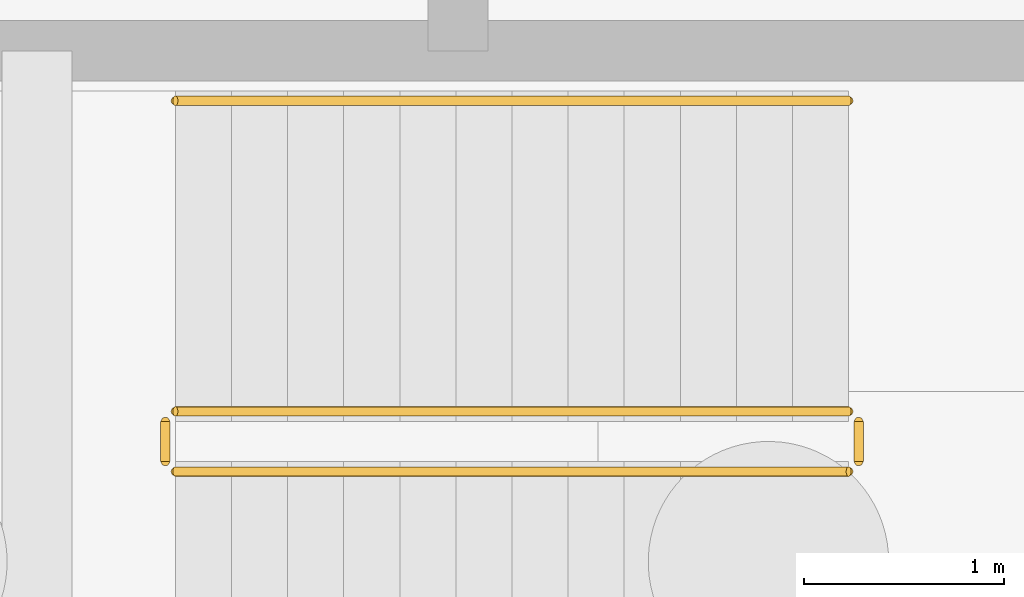
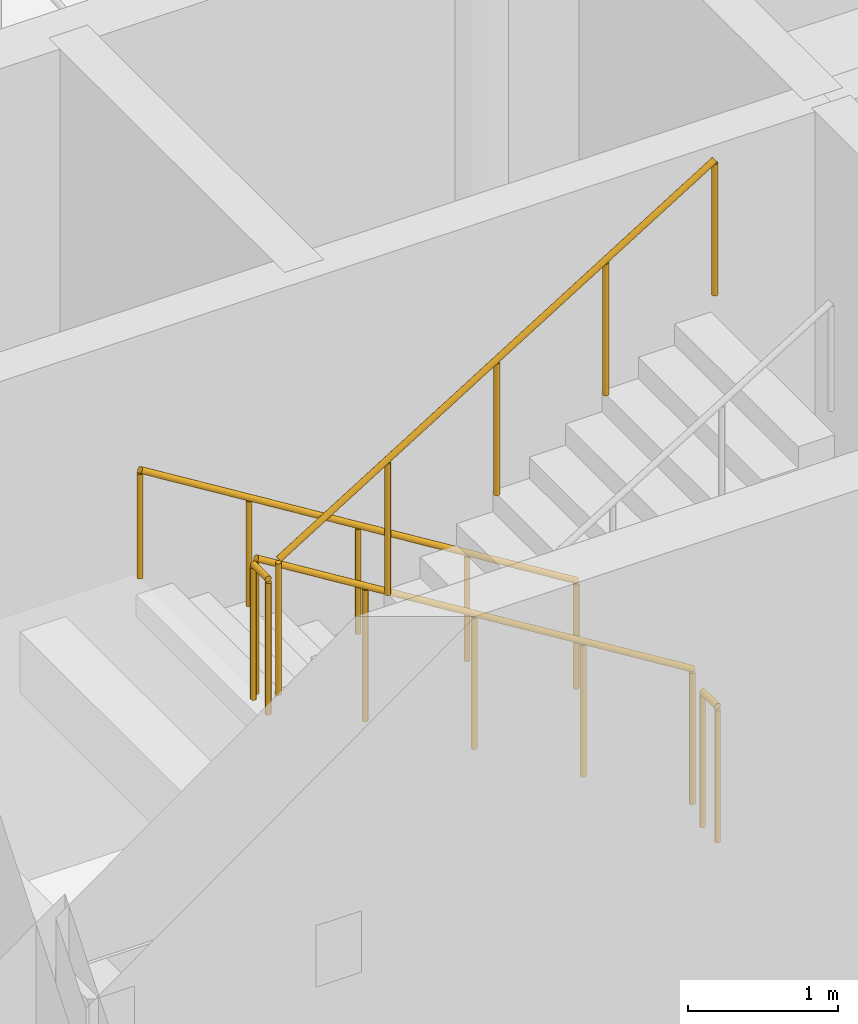
# One storey, part 35 of 42: 5 railings.
"""IFC4 building model written with IfcOpenShell, lengths in metres."""

from ifc_helpers import new_model, si_unit, direction, frame, origin, origin_2d, place, context, subcontext, project, spatial, circle, extrude, material, type_object, element, save


model = new_model("IFC4")

# Units and contexts
model_context = context("Model", 3, precision=1e-05, world=origin(), true_north=direction((0.0, 1.0)))
body_context = subcontext(model_context, "Body", "Model", "MODEL_VIEW")
ifc_project = project(units=[si_unit("LENGTHUNIT", "METRE"), si_unit("AREAUNIT", "SQUARE_METRE"), si_unit("VOLUMEUNIT", "CUBIC_METRE"), si_unit("PLANEANGLEUNIT", "RADIAN"), si_unit("MASSUNIT", "GRAM", prefix="KILO")], contexts=[model_context])

# Site, building, storey
site_placement = place(None, origin())
site = spatial("IfcSite", under=ifc_project, at=site_placement, CompositionType="ELEMENT")
building_placement = place(site_placement, origin())
building = spatial("IfcBuilding", under=site, at=building_placement, Name="Dalvernix Boulevard General Hospital", CompositionType="ELEMENT")
storey_placement = place(building_placement, frame((0.0, 0.0, -4.5)))
storey = spatial("IfcBuildingStorey", under=building, at=storey_placement, Name="B1", CompositionType="ELEMENT", Elevation=-4.5)

# Railings
ifc_material_1 = material(Name="Brushed stainless steel balustrade", Category="steel")
railing_type_1 = type_object("IfcRailingType", Name="RL-GR-INT1", PredefinedType="BALUSTRADE", material=ifc_material_1)
railing_1_placement = place(storey_placement, frame((6.35009765625, 56.300048828125, 0.173095703125)))
element("IfcRailing", 1, at=railing_1_placement, inside=storey, type_object=railing_type_1, Name="B1 ST-02 stair guard 1", PredefinedType="BALUSTRADE", context=body_context, shape_type="SweptSolid", body=[
    extrude(circle(Radius=0.02392578125, at=origin_2d()), frame((0.0, 0.0, 1.09619140625), z_axis=(-0.850623216509, 0.0, 0.525775754039), x_axis=(0.0, -1.0, 0.0)), (0.0, 0.0, 1.0), 3.9501953125),
    extrude(circle(Radius=0.02099609375, at=origin_2d()), origin(), (0.0, 0.0, 1.0), 1.072021484375),
    extrude(circle(Radius=0.02099609375, at=origin_2d()), frame((-0.840087890625, 0.0, 0.519287109375)), (0.0, 0.0, 1.0), 1.072021484375),
    extrude(circle(Radius=0.02099609375, at=origin_2d()), frame((-1.68017578125, 0.0, 1.03857421875)), (0.0, 0.0, 1.0), 1.072021484375),
    extrude(circle(Radius=0.02099609375, at=origin_2d()), frame((-2.52001953125, 0.0, 1.5576171875)), (0.0, 0.0, 1.0), 1.072021484375),
    extrude(circle(Radius=0.02099609375, at=origin_2d()), frame((-3.360107421875, 0.0, 2.076904296875)), (0.0, 0.0, 1.0), 1.072021484375),
])
railing_2_placement = place(storey_placement, frame((2.93994140625, 56.25, 2.25)))
element("IfcRailing", 2, at=railing_2_placement, inside=storey, type_object=railing_type_1, Name="B1 ST-02 stair guard 2", PredefinedType="BALUSTRADE", context=body_context, shape_type="SweptSolid", body=[
    extrude(circle(Radius=0.02392578125, at=origin_2d()), frame((0.0, 0.0, 1.09619140625), z_axis=(0.0, -1.0, 0.0), x_axis=(1.0, 0.0, 0.0)), (0.0, 0.0, 1.0), 0.199951171875),
    extrude(circle(Radius=0.02099609375, at=origin_2d()), origin(), (0.0, 0.0, 1.0), 1.072021484375),
    extrude(circle(Radius=0.02099609375, at=origin_2d()), frame((0.0, -0.199951171875, 0.0)), (0.0, 0.0, 1.0), 1.072021484375),
])
railing_3_placement = place(storey_placement, frame((2.989990234375, 56.0, 2.423095703125)))
element("IfcRailing", 3, at=railing_3_placement, inside=storey, type_object=railing_type_1, Name="B1 ST-02 stair guard 3", PredefinedType="BALUSTRADE", context=body_context, shape_type="SweptSolid", body=[
    extrude(circle(Radius=0.02392578125, at=origin_2d()), frame((0.0, 0.0, 1.09619140625), z_axis=(0.850623216509, 0.0, 0.525775754039), x_axis=(0.0, 1.0, 0.0)), (0.0, 0.0, 1.0), 3.9501953125),
    extrude(circle(Radius=0.02099609375, at=origin_2d()), origin(), (0.0, 0.0, 1.0), 1.072021484375),
    extrude(circle(Radius=0.02099609375, at=origin_2d()), frame((0.840087890625, 0.0, 0.519287109375)), (0.0, 0.0, 1.0), 1.072021484375),
    extrude(circle(Radius=0.02099609375, at=origin_2d()), frame((1.68017578125, 0.0, 1.03857421875)), (0.0, 0.0, 1.0), 1.072021484375),
    extrude(circle(Radius=0.02099609375, at=origin_2d()), frame((2.52001953125, 0.0, 1.5576171875)), (0.0, 0.0, 1.0), 1.072021484375),
    extrude(circle(Radius=0.02099609375, at=origin_2d()), frame((3.360107421875, 0.0, 2.076904296875)), (0.0, 0.0, 1.0), 1.072021484375),
])
railing_4_placement = place(storey_placement, frame((6.39990234375, 56.25, 0.0)))
element("IfcRailing", 4, at=railing_4_placement, inside=storey, type_object=railing_type_1, Name="B1 ST-02 stair guard 4", PredefinedType="BALUSTRADE", context=body_context, shape_type="SweptSolid", body=[
    extrude(circle(Radius=0.02392578125, at=origin_2d()), frame((0.0, 0.0, 1.09619140625), z_axis=(0.0, -1.0, 0.0), x_axis=(1.0, 0.0, 0.0)), (0.0, 0.0, 1.0), 0.199951171875),
    extrude(circle(Radius=0.02099609375, at=origin_2d()), origin(), (0.0, 0.0, 1.0), 1.072021484375),
    extrude(circle(Radius=0.02099609375, at=origin_2d()), frame((0.0, -0.199951171875, 0.0)), (0.0, 0.0, 1.0), 1.072021484375),
])
ifc_material_2 = material(Name="Brushed stainless steel wall handrail", Category="steel")
railing_type_2 = type_object("IfcRailingType", Name="RL-HR-INT1", PredefinedType="HANDRAIL", material=ifc_material_2)
railing_5_placement = place(storey_placement, frame((6.35009765625, 57.85009765625, 0.173095703125)))
element("IfcRailing", 5, at=railing_5_placement, inside=storey, type_object=railing_type_2, Name="B1 ST-02 stair handrail 1", PredefinedType="HANDRAIL", context=body_context, shape_type="SweptSolid", body=[
    extrude(circle(Radius=0.02392578125, at=origin_2d()), frame((0.0, 0.0, 0.8759765625), z_axis=(-0.850623216509, 0.0, 0.525775754039), x_axis=(0.0, -1.0, 0.0)), (0.0, 0.0, 1.0), 3.9501953125),
    extrude(circle(Radius=0.02099609375, at=origin_2d()), origin(), (0.0, 0.0, 1.0), 0.851806640625),
    extrude(circle(Radius=0.02099609375, at=origin_2d()), frame((-0.840087890625, 0.0, 0.519287109375)), (0.0, 0.0, 1.0), 0.851806640625),
    extrude(circle(Radius=0.02099609375, at=origin_2d()), frame((-1.68017578125, 0.0, 1.03857421875)), (0.0, 0.0, 1.0), 0.851806640625),
    extrude(circle(Radius=0.02099609375, at=origin_2d()), frame((-2.52001953125, 0.0, 1.5576171875)), (0.0, 0.0, 1.0), 0.851806640625),
    extrude(circle(Radius=0.02099609375, at=origin_2d()), frame((-3.360107421875, 0.0, 2.076904296875)), (0.0, 0.0, 1.0), 0.851806640625),
])

save(model, "model.ifc")
